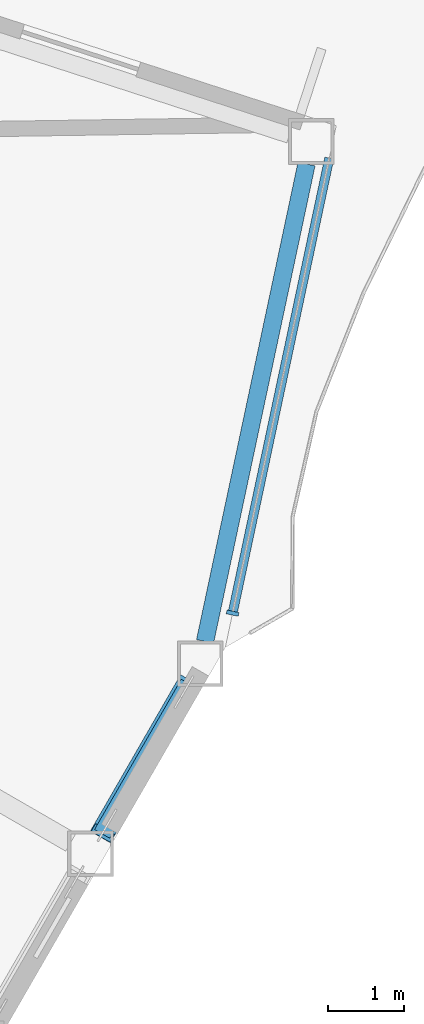
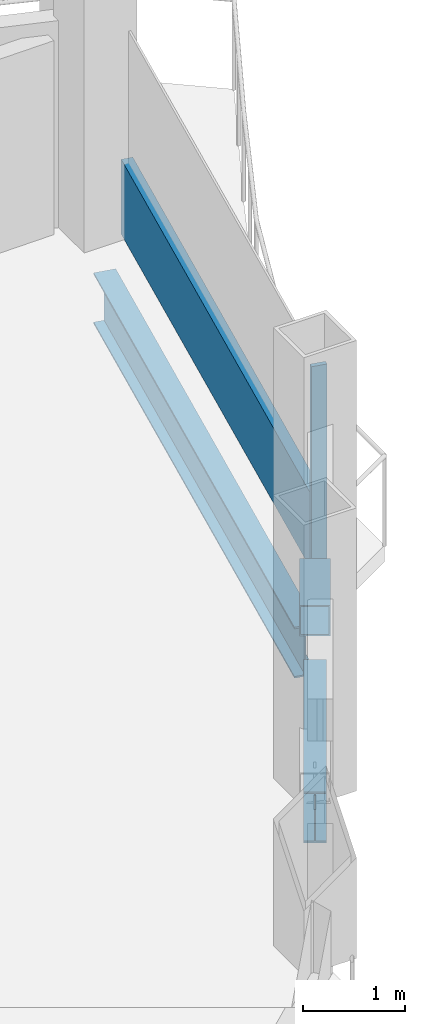
# One storey, part 8 of 26: 3 members, 2 beams, 1 element without a shape of its own.
"""IFC4 building model written with IfcOpenShell, lengths in metres."""

from ifc_helpers import new_model, si_unit, direction, frame, origin, origin_2d, place, context, subcontext, project, spatial, rectangle, hollow_rectangle, i_section, extrude, material, layer, layer_set, material_profile, profile_set, type_object, element, aggregate, save


model = new_model("IFC4")

# Units and contexts
model_context = context("Model", 3, precision=1e-05, world=origin(), true_north=direction((0.0, 1.0)))
body_context = subcontext(model_context, "Body", "Model", "MODEL_VIEW")
ifc_project = project(units=[si_unit("LENGTHUNIT", "METRE"), si_unit("AREAUNIT", "SQUARE_METRE"), si_unit("VOLUMEUNIT", "CUBIC_METRE"), si_unit("PLANEANGLEUNIT", "RADIAN"), si_unit("MASSUNIT", "GRAM", prefix="KILO")], contexts=[model_context])

# Site, building, storey
site_placement = place(None, origin())
site = spatial("IfcSite", under=ifc_project, at=site_placement, CompositionType="ELEMENT")
building_placement = place(site_placement, origin())
building = spatial("IfcBuilding", under=site, at=building_placement, Name="Cormorant Prow Tower", CompositionType="ELEMENT")
storey_placement = place(building_placement, frame((0.0, 0.0, 322.199951171875)))
storey = spatial("IfcBuildingStorey", under=building, at=storey_placement, Name="L71", CompositionType="ELEMENT", Elevation=322.199951171875)

# Member
ifc_material_1 = material(Name="Structural steel ASTM A500 Gr C", Category="steel")
ifc_material_profile_1 = material_profile(ifc_material_1, hollow_rectangle(XDim=0.3046875, YDim=0.3046875, WallThickness=0.01171875, at=origin_2d()), Name="HSS12x12x1/2")
ifc_profile_set_1 = profile_set([ifc_material_profile_1], Name="Structural steel ASTM A500 Gr C")
member_type_1 = type_object("IfcMemberType", Name="Chamfer brace HSS12x12x1/2", PredefinedType="BRACE", material=ifc_profile_set_1)
member_1_placement = place(storey_placement, frame((28.711669921875, -13.621826171875, 0.7412109375), z_axis=(-0.456265706889, -0.790324476185, 0.408911759503), x_axis=(0.866038851724, -0.499976706761, 0.0)))
element("IfcMember", 1, at=member_1_placement, inside=storey, type_object=member_type_1, Name="Chamfer brace BR3 at ESE01 L71", PredefinedType="BRACE", context=body_context, shape_type="SweptSolid", body=[
    extrude(hollow_rectangle(XDim=0.3046875, YDim=0.3046875, WallThickness=0.01171875, at=origin_2d()), origin(), (0.0, 0.0, 1.0), 2.459228515625),
])

# Curtain wall, members
ifc_material_2 = material(Name="Aluminium 6063-T6", Category="aluminium")
ifc_layer = layer(ifc_material_2, 0.159912109375)
ifc_layer_set = layer_set([ifc_layer], Name="Aluminium 6063-T6")
curtain_wall_type = type_object("IfcCurtainWallType", Name="Residential unitised curtain wall 160", PredefinedType="NOTDEFINED", material=ifc_layer_set)
curtain_wall_placement = place(storey_placement, origin())
curtain_wall = element("IfcCurtainWall", 2, at=curtain_wall_placement, inside=storey, type_object=curtain_wall_type, Name="Residential curtain wall ENE00", PredefinedType="NOTDEFINED")
ifc_material_3 = material(Name="Aluminium 6063-T6", Category="aluminium")
ifc_material_profile_2 = material_profile(ifc_material_3, rectangle(XDim=0.159912109375, YDim=0.050048828125, at=origin_2d()), Name="Residential mullion 50x160")
ifc_profile_set_2 = profile_set([ifc_material_profile_2], Name="Aluminium 6063-T6")
member_type_2 = type_object("IfcMemberType", Name="Residential mullion 50x160", PredefinedType="MULLION", material=ifc_profile_set_2)
member_2_placement = place(storey_placement, frame((29.29248046875, -12.685791015625, 0.0), z_axis=(0.0, 0.0, 1.0), x_axis=(-0.978147600676, 0.207911691091, 0.0)))
member_2 = element("IfcMember", 3, at=member_2_placement, type_object=member_type_2, Name="Residential mullion ENE00", PredefinedType="MULLION", context=body_context, shape_type="SweptSolid", body=[
    extrude(rectangle(XDim=0.159912109375, YDim=0.050048828125, at=origin_2d()), origin(), (0.0, 0.0, 1.0), 2.488037109375),
])
ifc_material_4 = material(Name="Terracotta", Category="masonry")
ifc_material_profile_3 = material_profile(ifc_material_4, rectangle(XDim=0.1201171875, YDim=0.89990234375, at=origin_2d()), Name="Residential terracotta spandrel rail 120x900")
ifc_profile_set_3 = profile_set([ifc_material_profile_3], Name="Terracotta")
member_type_3 = type_object("IfcMemberType", Name="Residential terracotta spandrel rail 120x900", PredefinedType="USERDEFINED", material=ifc_profile_set_3)
member_3_placement = place(storey_placement, frame((29.2978515625, -12.6611328125, 0.449951171875), z_axis=(0.207908765956, 0.978148222428, 0.0), x_axis=(-0.978148222428, 0.207908765956, 0.0)))
member_3 = element("IfcMember", 4, at=member_3_placement, type_object=member_type_3, Name="Residential spandrel rail ENE00", ObjectType="TRANSOM", PredefinedType="USERDEFINED", context=body_context, shape_type="SweptSolid", body=[
    extrude(rectangle(XDim=0.1201171875, YDim=0.89990234375, at=origin_2d()), origin(), (0.0, 0.0, 1.0), 6.072021484375),
])
aggregate(curtain_wall, [member_2, member_3])

# Beams
ifc_material_5 = material(Name="Structural steel ASTM A992 Gr 50", Category="steel")
ifc_material_profile_4 = material_profile(ifc_material_5, i_section(OverallWidth=0.22900390625, OverallDepth=0.612060546875, WebThickness=0.011962890625, FlangeThickness=0.01953125, at=origin_2d()), Name="W24x84")
ifc_profile_set_4 = profile_set([ifc_material_profile_4], Name="Structural steel ASTM A992 Gr 50")
beam_type = type_object("IfcBeamType", Name="Spandrel beam W24x84", PredefinedType="SPANDREL", material=ifc_profile_set_4)
beam_1_placement = place(storey_placement, frame((27.582275390625, -15.578125, -0.60595703125), z_axis=(0.500053962254, 0.865994246421, 0.0), x_axis=(-0.865994246421, 0.500053962254, 0.0)))
element("IfcBeam", 5, at=beam_1_placement, inside=storey, type_object=beam_type, Name="Spandrel beam SB3 ESE01-ENE00 L71", PredefinedType="SPANDREL", context=body_context, shape_type="SweptSolid", body=[
    extrude(i_section(OverallWidth=0.22900390625, OverallDepth=0.612060546875, WebThickness=0.011962890625, FlangeThickness=0.01953125, at=origin_2d()), origin(), (0.0, 0.0, 1.0), 2.273681640625),
])
beam_2_placement = place(storey_placement, frame((28.931640625, -13.055908203125, -0.60595703125), z_axis=(0.20791262393, 0.978147402394, 0.0), x_axis=(-0.978147402394, 0.20791262393, 0.0)))
element("IfcBeam", 6, at=beam_2_placement, inside=storey, type_object=beam_type, Name="Spandrel beam SB3 ENE00-ENE01 L71", PredefinedType="SPANDREL", context=body_context, shape_type="SweptSolid", body=[
    extrude(i_section(OverallWidth=0.22900390625, OverallDepth=0.612060546875, WebThickness=0.011962890625, FlangeThickness=0.01953125, at=origin_2d()), origin(), (0.0, 0.0, 1.0), 6.396240234375),
])

save(model, "model.ifc")
